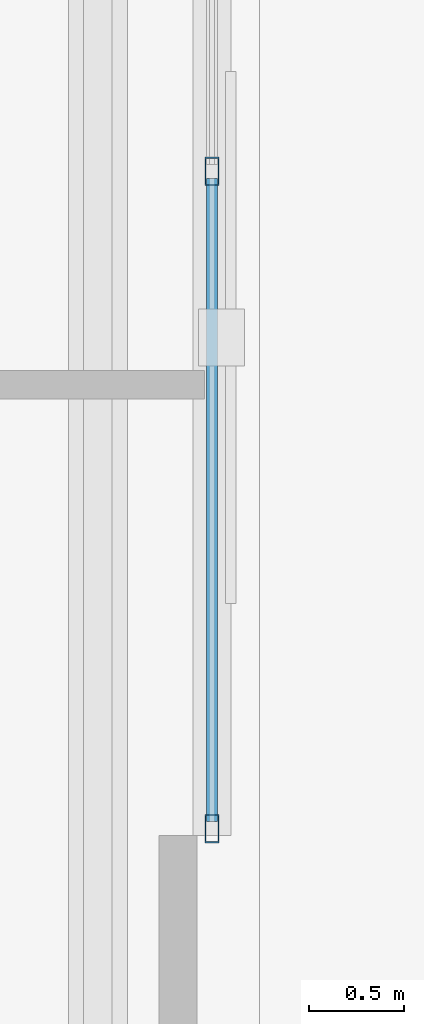
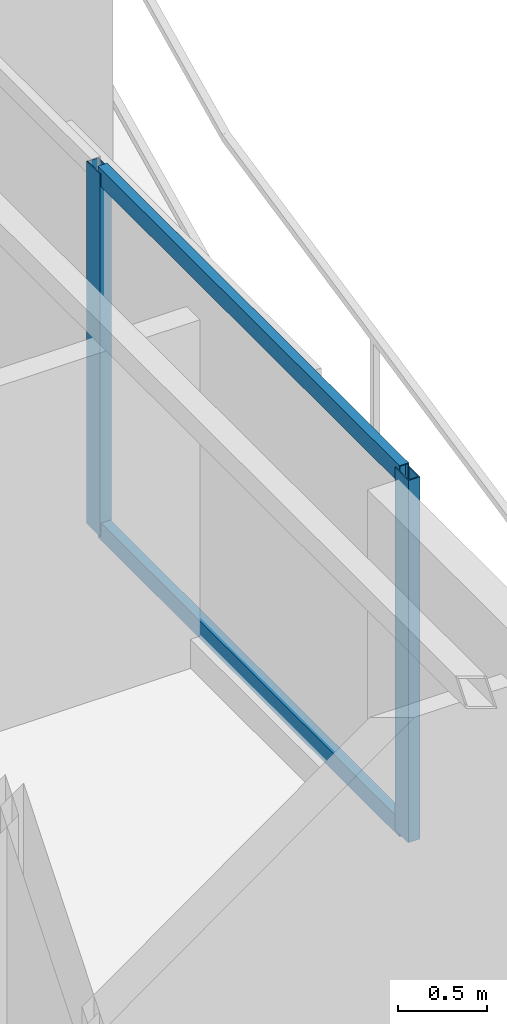
# One storey, part 8 of 21: 4 members, 1 element without a shape of its own.
"""IFC4 building model written with IfcOpenShell, lengths in metres."""

from ifc_helpers import new_model, si_unit, direction, frame, origin, origin_2d, place, context, subcontext, project, spatial, hollow_rectangle, extrude, material, layer, layer_set, material_profile, profile_set, type_object, element, aggregate, save


model = new_model("IFC4")

# Units and contexts
model_context = context("Model", 3, precision=1e-05, world=origin(), true_north=direction((0.0, 1.0)))
body_context = subcontext(model_context, "Body", "Model", "MODEL_VIEW")
ifc_project = project(units=[si_unit("LENGTHUNIT", "METRE"), si_unit("AREAUNIT", "SQUARE_METRE"), si_unit("VOLUMEUNIT", "CUBIC_METRE"), si_unit("PLANEANGLEUNIT", "RADIAN"), si_unit("MASSUNIT", "GRAM", prefix="KILO")], contexts=[model_context])

# Site, building, storey
site_placement = place(None, origin())
site = spatial("IfcSite", under=ifc_project, at=site_placement, CompositionType="ELEMENT")
building_placement = place(site_placement, origin())
building = spatial("IfcBuilding", under=site, at=building_placement, Name="Mersakhor Tower and Convention Hall", CompositionType="ELEMENT")
storey_placement = place(building_placement, frame((0.0, 0.0, 121.199951171875)))
storey = spatial("IfcBuildingStorey", under=building, at=storey_placement, Name="L33", CompositionType="ELEMENT", Elevation=121.199951171875)

# Curtain wall, members
ifc_material_1 = material(Name="Dark solar low-E aluminium curtain wall", Category="aluminium")
ifc_layer = layer(ifc_material_1, 0.169921875)
ifc_layer_set = layer_set([ifc_layer], Name="Dark solar low-E aluminium curtain wall")
curtain_wall_type = type_object("IfcCurtainWallType", Name="CW-SYS-02", PredefinedType="USERDEFINED", material=ifc_layer_set)
curtain_wall_placement = place(storey_placement, origin())
curtain_wall = element("IfcCurtainWall", 1, at=curtain_wall_placement, inside=storey, type_object=curtain_wall_type, Name="L33 Dark-Glass Curtain Wall F2-B2", ObjectType="CURTAIN WALL", PredefinedType="USERDEFINED")
ifc_material_2 = material(Name="Anodised aluminium EN AW-6063 T6", Category="aluminium")
ifc_material_profile_1 = material_profile(ifc_material_2, hollow_rectangle(XDim=0.074951171875, YDim=0.14990234375, WallThickness=0.00634765625, at=origin_2d()), Name="RHS 150x75x6.3")
ifc_profile_set_1 = profile_set([ifc_material_profile_1], Name="Anodised aluminium EN AW-6063 T6")
member_type_1 = type_object("IfcMemberType", Name="CWM-150x75", PredefinedType="MULLION", material=ifc_profile_set_1)
member_1_placement = place(storey_placement, frame((42.21923828125, 25.00244140625, 0.199951171875), z_axis=(0.0, 0.0, 1.0), x_axis=(1.0, 0.0, 0.0)))
member_1 = element("IfcMember", 2, at=member_1_placement, type_object=member_type_1, Name="CW-02 mullion 3", PredefinedType="MULLION", context=body_context, shape_type="SweptSolid", body=[
    extrude(hollow_rectangle(XDim=0.074951171875, YDim=0.14990234375, WallThickness=0.00634765625, at=origin_2d()), origin(), (0.0, 0.0, 1.0), 2.47998046875),
])
member_2_placement = place(storey_placement, frame((42.21923828125, 21.54443359375, 0.199951171875), z_axis=(0.0, 0.0, 1.0), x_axis=(1.0, 0.0, 0.0)))
member_2 = element("IfcMember", 3, at=member_2_placement, type_object=member_type_1, Name="CW-02 mullion 4", PredefinedType="MULLION", context=body_context, shape_type="SweptSolid", body=[
    extrude(hollow_rectangle(XDim=0.074951171875, YDim=0.14990234375, WallThickness=0.00634765625, at=origin_2d()), origin(), (0.0, 0.0, 1.0), 2.47998046875),
])
ifc_material_3 = material(Name="Anodised aluminium EN AW-6063 T6", Category="aluminium")
ifc_material_profile_2 = material_profile(ifc_material_3, hollow_rectangle(XDim=0.06005859375, YDim=0.1201171875, WallThickness=0.0048828125, at=origin_2d()), Name="RHS 120x60x5")
ifc_profile_set_2 = profile_set([ifc_material_profile_2], Name="Anodised aluminium EN AW-6063 T6")
member_type_2 = type_object("IfcMemberType", Name="CWT-120x60", PredefinedType="USERDEFINED", material=ifc_profile_set_2)
member_3_placement = place(storey_placement, frame((42.21923828125, 24.96484375, 0.22998046875), z_axis=(0.0, -1.0, 0.0), x_axis=(1.0, 0.0, 0.0)))
member_3 = element("IfcMember", 4, at=member_3_placement, type_object=member_type_2, Name="CW-02 transom 3.1", ObjectType="TRANSOM", PredefinedType="USERDEFINED", context=body_context, shape_type="SweptSolid", body=[
    extrude(hollow_rectangle(XDim=0.06005859375, YDim=0.1201171875, WallThickness=0.0048828125, at=origin_2d()), origin(), (0.0, 0.0, 1.0), 3.3828125),
])
member_4_placement = place(storey_placement, frame((42.21923828125, 24.96484375, 2.650146484375), z_axis=(0.0, -1.0, 0.0), x_axis=(1.0, 0.0, 0.0)))
member_4 = element("IfcMember", 5, at=member_4_placement, type_object=member_type_2, Name="CW-02 transom 3.2", ObjectType="TRANSOM", PredefinedType="USERDEFINED", context=body_context, shape_type="SweptSolid", body=[
    extrude(hollow_rectangle(XDim=0.06005859375, YDim=0.1201171875, WallThickness=0.0048828125, at=origin_2d()), origin(), (0.0, 0.0, 1.0), 3.3828125),
])
aggregate(curtain_wall, [member_1, member_2, member_3, member_4])

save(model, "model.ifc")
